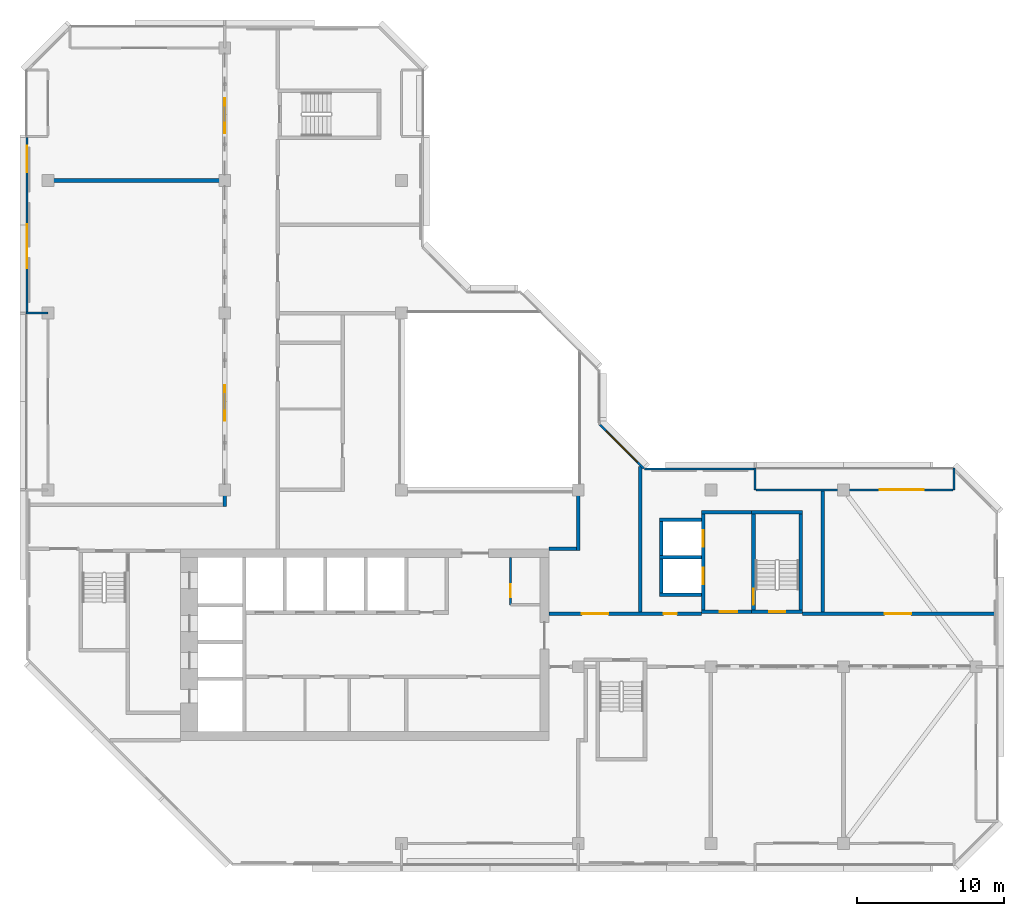
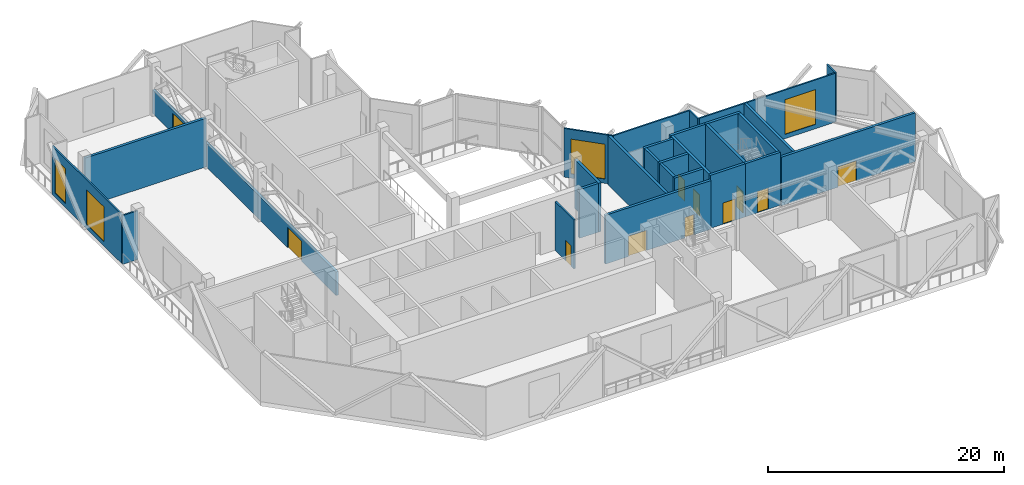
# One storey, part 7 of 13: 28 walls, 11 doors, 4 windows, 15 openings.
"""IFC4 building model written with IfcOpenShell, lengths in metres."""

from ifc_helpers import new_model, si_unit, direction, frame, frame_2d, origin, place, context, subcontext, project, spatial, rectangle, extrude, material, layer, layer_set, type_object, element, fill, save


model = new_model("IFC4")

# Units and contexts
model_context = context("Model", 3, precision=1e-05, world=origin(), true_north=direction((0.0, 1.0)))
body_context = subcontext(model_context, "Body", "Model", "MODEL_VIEW")
ifc_project = project(units=[si_unit("LENGTHUNIT", "METRE"), si_unit("AREAUNIT", "SQUARE_METRE"), si_unit("VOLUMEUNIT", "CUBIC_METRE"), si_unit("PLANEANGLEUNIT", "RADIAN"), si_unit("MASSUNIT", "GRAM", prefix="KILO")], contexts=[model_context])

# Site, building, storey
site_placement = place(None, origin())
site = spatial("IfcSite", under=ifc_project, at=site_placement, CompositionType="ELEMENT")
building_placement = place(site_placement, origin())
building = spatial("IfcBuilding", under=site, at=building_placement, Name="Chenar Terraces", CompositionType="ELEMENT")
storey_placement = place(building_placement, frame((0.0, 0.0, 322.14990234375)))
storey = spatial("IfcBuildingStorey", under=building, at=storey_placement, Name="L76", CompositionType="ELEMENT", Elevation=322.14990234375)

# Wall, opening, door
ifc_material_1 = material(Name="Gypsum board on steel studs", Category="steel")
ifc_layer_1 = layer(ifc_material_1, 0.14990234375)
ifc_layer_set_1 = layer_set([ifc_layer_1], Name="Gypsum board on steel studs")
wall_type_1 = type_object("IfcWallType", Name="Core partition 150 gypsum board", PredefinedType="PARTITIONING", material=ifc_layer_set_1)
wall_1_placement = place(storey_placement, frame((31.39990234375, 16.199951171875, 0.0), z_axis=(0.0, 0.0, 1.0), x_axis=(0.0, 1.0, 0.0)))
wall_1 = element("IfcWall", 1, at=wall_1_placement, inside=storey, type_object=wall_type_1, Name="Core partition CP1 vestibule room west wall", PredefinedType="PARTITIONING", context=body_context, shape_type="SweptSolid", body=[
    extrude(rectangle(XDim=3.199951171875, YDim=0.14990234375, at=frame_2d((1.60009765625, 0.0))), origin(), (0.0, 0.0, 1.0), 5.050048828125),
])
opening_1_placement = place(wall_1_placement, frame((0.5, 0.0, 0.0)))
opening_1 = element("IfcOpeningElement", 2, at=opening_1_placement, cuts=wall_1, Name="Opening DL76-C17", PredefinedType="OPENING", context=body_context, shape_type="SweptSolid", body=[
    extrude(rectangle(XDim=0.89990234375, YDim=2.10009765625, at=frame_2d((0.449951171875, 1.050048828125))), frame((0.0, 0.0849609375, 0.0), z_axis=(0.0, -1.0, 0.0), x_axis=(1.0, 0.0, 0.0)), (0.0, 0.0, 1.0), 0.169921875),
])
ifc_material_2 = material(Name="Steel-framed fire-resisting door leaf", Category="steel")
door_type_1 = type_object("IfcDoorType", Name="Riser fire door FD60 900 x 2100", OperationType="SINGLE_SWING_LEFT", PredefinedType="DOOR", material=ifc_material_2)
door_1_placement = place(opening_1_placement, frame((0.89990234375, 0.0, 0.0), z_axis=(0.0, 0.0, 1.0), x_axis=(-1.0, 0.0, 0.0)))
door_1 = element("IfcDoor", 3, at=door_1_placement, inside=storey, type_object=door_type_1, Name="Core room door DL76-C17", OperationType="SINGLE_SWING_RIGHT", OverallHeight=2.10009765625, OverallWidth=0.89990234375, PredefinedType="DOOR", context=body_context, shape_type="SweptSolid", body=[
    extrude(rectangle(XDim=0.89990234375, YDim=2.10009765625, at=frame_2d((0.449951171875, 1.050048828125))), frame((0.0, 0.02490234375, 0.0), z_axis=(0.0, -1.0, 0.0), x_axis=(1.0, 0.0, 0.0)), (0.0, 0.0, 1.0), 0.050048828125),
])
fill(opening_1, door_1)

ifc_material_3 = material(Name="Concrete C50/60", Category="concrete")
ifc_layer_2 = layer(ifc_material_3, 0.25)
ifc_layer_set_2 = layer_set([ifc_layer_2], Name="Concrete C50/60")
wall_type_2 = type_object("IfcWallType", Name="Core wall 250 Concrete C50/60", PredefinedType="SHEAR", material=ifc_layer_set_2)
wall_2_placement = place(storey_placement, frame((47.77490234375, 15.72509765625, 0.0), z_axis=(0.0, 0.0, 1.0), x_axis=(1.0, 0.0, 0.0)))
wall_2 = element("IfcWall", 4, at=wall_2_placement, inside=storey, type_object=wall_type_2, Name="Core wall ST3_S L76", PredefinedType="SHEAR", context=body_context, shape_type="SweptSolid", body=[
    extrude(rectangle(XDim=3.4501953125, YDim=0.25, at=frame_2d((1.72509765625, 0.0))), origin(), (0.0, 0.0, 1.0), 5.5),
])
opening_2_placement = place(wall_2_placement, frame((1.175048828125, 0.0, 0.0)))
opening_2 = element("IfcOpeningElement", 5, at=opening_2_placement, cuts=wall_2, Name="Opening DL76-C8", PredefinedType="OPENING", context=body_context, shape_type="SweptSolid", body=[
    extrude(rectangle(XDim=1.10009765625, YDim=2.199951171875, at=frame_2d((0.550048828125, 1.10009765625))), frame((0.0, 0.135009765625, 0.0), z_axis=(0.0, -1.0, 0.0), x_axis=(1.0, 0.0, 0.0)), (0.0, 0.0, 1.0), 0.27001953125),
])
ifc_material_4 = material(Name="Steel-framed fire-resisting door leaf", Category="steel")
door_type_2 = type_object("IfcDoorType", Name="Stair fire door FD60 1100 x 2200", OperationType="SINGLE_SWING_LEFT", PredefinedType="DOOR", material=ifc_material_4)
door_2_placement = place(opening_2_placement, frame((1.10009765625, 0.0, 0.0), z_axis=(0.0, 0.0, 1.0), x_axis=(-1.0, 0.0, 0.0)))
door_2 = element("IfcDoor", 6, at=door_2_placement, inside=storey, type_object=door_type_2, Name="Stair door DL76-C8", OperationType="SINGLE_SWING_LEFT", OverallHeight=2.199951171875, OverallWidth=1.10009765625, PredefinedType="DOOR", context=body_context, shape_type="SweptSolid", body=[
    extrude(rectangle(XDim=1.10009765625, YDim=2.199951171875, at=frame_2d((0.550048828125, 1.10009765625))), frame((0.0, 0.02490234375, 0.0), z_axis=(0.0, -1.0, 0.0), x_axis=(1.0, 0.0, 0.0)), (0.0, 0.0, 1.0), 0.050048828125),
])
fill(opening_2, door_2)

# Wall
wall_3_placement = place(storey_placement, frame((47.77490234375, 22.47509765625, 0.0), z_axis=(0.0, 0.0, 1.0), x_axis=(1.0, 0.0, 0.0)))
element("IfcWall", 7, at=wall_3_placement, inside=storey, type_object=wall_type_2, Name="Core wall ST3_N L76", PredefinedType="SHEAR", context=body_context, shape_type="SweptSolid", body=[
    extrude(rectangle(XDim=3.4501953125, YDim=0.25, at=frame_2d((1.72509765625, 0.0))), origin(), (0.0, 0.0, 1.0), 5.5),
])

# Wall, opening, door
wall_4_placement = place(storey_placement, frame((47.89990234375, 15.85009765625, 0.0), z_axis=(0.0, 0.0, 1.0), x_axis=(0.0, 1.0, 0.0)))
wall_4 = element("IfcWall", 8, at=wall_4_placement, inside=storey, type_object=wall_type_2, Name="Core wall ST3_W L76", PredefinedType="SHEAR", context=body_context, shape_type="SweptSolid", body=[
    extrude(rectangle(XDim=6.5, YDim=0.25, at=frame_2d((3.25, 0.0))), origin(), (0.0, 0.0, 1.0), 5.5),
])
opening_3_placement = place(wall_4_placement, frame((0.35009765625, 0.0, 0.0)))
opening_3 = element("IfcOpeningElement", 9, at=opening_3_placement, cuts=wall_4, Name="Opening DL76-C11", PredefinedType="OPENING", context=body_context, shape_type="SweptSolid", body=[
    extrude(rectangle(XDim=1.10009765625, YDim=2.199951171875, at=frame_2d((0.550048828125, 1.10009765625))), frame((0.0, 0.135009765625, 0.0), z_axis=(0.0, -1.0, 0.0), x_axis=(1.0, 0.0, 0.0)), (0.0, 0.0, 1.0), 0.27001953125),
])
door_3_placement = place(opening_3_placement, frame((1.10009765625, 0.0, 0.0), z_axis=(0.0, 0.0, 1.0), x_axis=(-1.0, 0.0, 0.0)))
door_3 = element("IfcDoor", 10, at=door_3_placement, inside=storey, type_object=door_type_2, Name="Stair door DL76-C11", OperationType="SINGLE_SWING_RIGHT", OverallHeight=2.199951171875, OverallWidth=1.10009765625, PredefinedType="DOOR", context=body_context, shape_type="SweptSolid", body=[
    extrude(rectangle(XDim=1.10009765625, YDim=2.199951171875, at=frame_2d((0.550048828125, 1.10009765625))), frame((0.0, 0.02490234375, 0.0), z_axis=(0.0, -1.0, 0.0), x_axis=(1.0, 0.0, 0.0)), (0.0, 0.0, 1.0), 0.050048828125),
])
fill(opening_3, door_3)

# Wall
wall_5_placement = place(storey_placement, frame((51.10009765625, 15.85009765625, 0.0), z_axis=(0.0, 0.0, 1.0), x_axis=(0.0, 1.0, 0.0)))
element("IfcWall", 11, at=wall_5_placement, inside=storey, type_object=wall_type_2, Name="Core wall ST3_E L76", PredefinedType="SHEAR", context=body_context, shape_type="SweptSolid", body=[
    extrude(rectangle(XDim=6.5, YDim=0.25, at=frame_2d((3.25, 0.0))), origin(), (0.0, 0.0, 1.0), 5.5),
])

# Wall, opening, door
wall_6_placement = place(storey_placement, frame((44.35009765625, 15.72509765625, 0.0), z_axis=(0.0, 0.0, 1.0), x_axis=(1.0, 0.0, 0.0)))
wall_6 = element("IfcWall", 12, at=wall_6_placement, inside=storey, type_object=wall_type_2, Name="Core wall F3_LS L76", PredefinedType="SHEAR", context=body_context, shape_type="SweptSolid", body=[
    extrude(rectangle(XDim=3.4248046875, YDim=0.25, at=frame_2d((1.71240234375, 0.0))), origin(), (0.0, 0.0, 1.0), 5.5),
])
opening_4_placement = place(wall_6_placement, frame((1.25, 0.0, 0.0)))
opening_4 = element("IfcOpeningElement", 13, at=opening_4_placement, cuts=wall_6, Name="Opening DL76-C10", PredefinedType="OPENING", context=body_context, shape_type="SweptSolid", body=[
    extrude(rectangle(XDim=1.199951171875, YDim=2.199951171875, at=frame_2d((0.60009765625, 1.10009765625))), frame((0.0, 0.135009765625, 0.0), z_axis=(0.0, -1.0, 0.0), x_axis=(1.0, 0.0, 0.0)), (0.0, 0.0, 1.0), 0.27001953125),
])
ifc_material_5 = material(Name="Steel-framed fire-resisting door leaf", Category="steel")
door_type_3 = type_object("IfcDoorType", Name="Lobby fire door FD60 1200 x 2200", OperationType="SINGLE_SWING_LEFT", PredefinedType="DOOR", material=ifc_material_5)
door_4_placement = place(opening_4_placement, origin())
door_4 = element("IfcDoor", 14, at=door_4_placement, inside=storey, type_object=door_type_3, Name="Core door DL76-C10", OperationType="SINGLE_SWING_RIGHT", OverallHeight=2.199951171875, OverallWidth=1.199951171875, PredefinedType="DOOR", context=body_context, shape_type="SweptSolid", body=[
    extrude(rectangle(XDim=1.199951171875, YDim=2.199951171875, at=frame_2d((0.60009765625, 1.10009765625))), frame((0.0, 0.02490234375, 0.0), z_axis=(0.0, -1.0, 0.0), x_axis=(1.0, 0.0, 0.0)), (0.0, 0.0, 1.0), 0.050048828125),
])
fill(opening_4, door_4)

# Wall
wall_7_placement = place(storey_placement, frame((44.35009765625, 22.47509765625, 0.0), z_axis=(0.0, 0.0, 1.0), x_axis=(1.0, 0.0, 0.0)))
element("IfcWall", 15, at=wall_7_placement, inside=storey, type_object=wall_type_2, Name="Core wall F3_LN L76", PredefinedType="SHEAR", context=body_context, shape_type="SweptSolid", body=[
    extrude(rectangle(XDim=3.4248046875, YDim=0.25, at=frame_2d((1.71240234375, 0.0))), origin(), (0.0, 0.0, 1.0), 5.5),
])

# Wall, openings, doors
wall_8_placement = place(storey_placement, frame((44.47509765625, 15.85009765625, 0.0), z_axis=(0.0, 0.0, 1.0), x_axis=(0.0, 1.0, 0.0)))
wall_8 = element("IfcWall", 16, at=wall_8_placement, inside=storey, type_object=wall_type_2, Name="Core wall F3_LW L76", PredefinedType="SHEAR", context=body_context, shape_type="SweptSolid", body=[
    extrude(rectangle(XDim=6.5, YDim=0.25, at=frame_2d((3.25, 0.0))), origin(), (0.0, 0.0, 1.0), 5.5),
])
opening_5_placement = place(wall_8_placement, frame((1.75, 0.0, 0.0)))
opening_5 = element("IfcOpeningElement", 17, at=opening_5_placement, cuts=wall_8, Name="Opening DL76-LD8", PredefinedType="OPENING", context=body_context, shape_type="SweptSolid", body=[
    extrude(rectangle(XDim=1.10009765625, YDim=2.199951171875, at=frame_2d((0.550048828125, 1.10009765625))), frame((0.0, 0.135009765625, 0.0), z_axis=(0.0, -1.0, 0.0), x_axis=(1.0, 0.0, 0.0)), (0.0, 0.0, 1.0), 0.27001953125),
])
opening_6_placement = place(wall_8_placement, frame((4.300048828125, 0.0, 0.0)))
opening_6 = element("IfcOpeningElement", 18, at=opening_6_placement, cuts=wall_8, Name="Opening DL76-LD9", PredefinedType="OPENING", context=body_context, shape_type="SweptSolid", body=[
    extrude(rectangle(XDim=1.10009765625, YDim=2.199951171875, at=frame_2d((0.550048828125, 1.10009765625))), frame((0.0, 0.135009765625, 0.0), z_axis=(0.0, -1.0, 0.0), x_axis=(1.0, 0.0, 0.0)), (0.0, 0.0, 1.0), 0.27001953125),
])
ifc_material_6 = material(Name="Stainless steel", Category="steel")
door_type_4 = type_object("IfcDoorType", Name="Lift landing door 1100 x 2200 sliding", OperationType="DOUBLE_DOOR_SLIDING", PredefinedType="DOOR", material=ifc_material_6)
door_5_placement = place(opening_5_placement, origin())
door_5 = element("IfcDoor", 19, at=door_5_placement, inside=storey, type_object=door_type_4, Name="Landing door F3", OperationType="DOUBLE_DOOR_SLIDING", OverallHeight=2.199951171875, OverallWidth=1.10009765625, PredefinedType="DOOR", context=body_context, shape_type="SweptSolid", body=[
    extrude(rectangle(XDim=1.10009765625, YDim=2.199951171875, at=frame_2d((0.550048828125, 1.10009765625))), frame((0.0, 0.02490234375, 0.0), z_axis=(0.0, -1.0, 0.0), x_axis=(1.0, 0.0, 0.0)), (0.0, 0.0, 1.0), 0.050048828125),
])
fill(opening_5, door_5)
door_6_placement = place(opening_6_placement, origin())
door_6 = element("IfcDoor", 20, at=door_6_placement, inside=storey, type_object=door_type_4, Name="Landing door F4", OperationType="DOUBLE_DOOR_SLIDING", OverallHeight=2.199951171875, OverallWidth=1.10009765625, PredefinedType="DOOR", context=body_context, shape_type="SweptSolid", body=[
    extrude(rectangle(XDim=1.10009765625, YDim=2.199951171875, at=frame_2d((0.550048828125, 1.10009765625))), frame((0.0, 0.02490234375, 0.0), z_axis=(0.0, -1.0, 0.0), x_axis=(1.0, 0.0, 0.0)), (0.0, 0.0, 1.0), 0.050048828125),
])
fill(opening_6, door_6)

# Walls
for number, where, z_axis, x_axis, name in (
    (21, (41.5, 16.875, 0.0), (0.0, 0.0, 1.0), (1.0, 0.0, 0.0), "Core wall F3_SS L76"),
    (22, (41.5, 19.425048828125, 0.0), (0.0, 0.0, 1.0), (1.0, 0.0, 0.0), "Core wall F3_SM L76"),
    (23, (41.5, 21.97509765625, 0.0), (0.0, 0.0, 1.0), (1.0, 0.0, 0.0), "Core wall F4_SN L76"),
):
    element("IfcWall", number, at=place(storey_placement, frame(where, z_axis=z_axis, x_axis=x_axis)), inside=storey, type_object=wall_type_2, Name=name, PredefinedType="SHEAR", context=body_context, shape_type="SweptSolid", body=[
        extrude(rectangle(XDim=2.85009765625, YDim=0.25, at=frame_2d((1.425048828125, 0.0))), origin(), (0.0, 0.0, 1.0), 5.5),
    ])
for number, where, z_axis, x_axis, name in (
    (24, (41.625, 17.0, 0.0), (0.0, 0.0, 1.0), (0.0, 1.0, 0.0), "Core wall F3_SW L76"),
    (25, (41.625, 19.550048828125, 0.0), (0.0, 0.0, 1.0), (0.0, 1.0, 0.0), "Core wall F4_SW L76"),
):
    element("IfcWall", number, at=place(storey_placement, frame(where, z_axis=z_axis, x_axis=x_axis)), inside=storey, type_object=wall_type_2, Name=name, PredefinedType="SHEAR", context=body_context, shape_type="SweptSolid", body=[
        extrude(rectangle(XDim=2.300048828125, YDim=0.25, at=frame_2d((1.14990234375, 0.0))), origin(), (0.0, 0.0, 1.0), 5.5),
    ])
ifc_material_7 = material(Name="Aluminium framed glazing", Category="aluminium")
ifc_layer_3 = layer(ifc_material_7, 0.14990234375)
ifc_layer_set_3 = layer_set([ifc_layer_3], Name="Aluminium framed glazing")
wall_type_3 = type_object("IfcWallType", Name="Glazed flush facade wall 150", PredefinedType="SOLIDWALL", material=ifc_layer_set_3)
wall_9_placement = place(storey_placement, frame((47.925048828125, 25.425048828125, 0.0), z_axis=(0.0, 0.0, 1.0), x_axis=(-1.0, 0.0, 0.0)))
element("IfcWall", 26, at=wall_9_placement, inside=storey, type_object=wall_type_3, Name="Glazed flush facade wall", PredefinedType="SOLIDWALL", context=body_context, shape_type="SweptSolid", body=[
    extrude(rectangle(XDim=7.425048828125, YDim=0.14990234375, at=frame_2d((3.71240234375, 0.0))), origin(), (0.0, 0.0, 1.0), 5.050048828125),
])

# Wall, openings, windows
wall_10_placement = place(storey_placement, frame((-1.425048828125, 47.925048828125, 0.0), z_axis=(0.0, 0.0, 1.0), x_axis=(0.0, -1.0, 0.0)))
wall_10 = element("IfcWall", 27, at=wall_10_placement, inside=storey, type_object=wall_type_3, Name="Glazed flush facade wall", PredefinedType="SOLIDWALL", context=body_context, shape_type="SweptSolid", body=[
    extrude(rectangle(XDim=11.85009765625, YDim=0.14990234375, at=frame_2d((5.925048828125, 0.0))), origin(), (0.0, 0.0, 1.0), 5.050048828125),
])
opening_7_placement = place(wall_10_placement, frame((0.5625, 0.0, 0.449951171875)))
opening_7 = element("IfcOpeningElement", 28, at=opening_7_placement, cuts=wall_10, Name="Opening W180x360", PredefinedType="OPENING", context=body_context, shape_type="SweptSolid", body=[
    extrude(rectangle(XDim=1.800048828125, YDim=3.60009765625, at=frame_2d((0.89990234375, 1.800048828125))), frame((0.0, 0.0849609375, 0.0), z_axis=(0.0, -1.0, 0.0), x_axis=(1.0, 0.0, 0.0)), (0.0, 0.0, 1.0), 0.169921875),
])
opening_8_placement = place(wall_10_placement, frame((5.887451171875, 0.0, 0.449951171875)))
opening_8 = element("IfcOpeningElement", 29, at=opening_8_placement, cuts=wall_10, Name="Opening W300x360", PredefinedType="OPENING", context=body_context, shape_type="SweptSolid", body=[
    extrude(rectangle(XDim=3.0, YDim=3.60009765625, at=frame_2d((1.5, 1.800048828125))), frame((0.0, 0.0849609375, 0.0), z_axis=(0.0, -1.0, 0.0), x_axis=(1.0, 0.0, 0.0)), (0.0, 0.0, 1.0), 0.169921875),
])
ifc_material_8 = material(Name="Low emissivity double glazing, aluminium frame", Category="aluminium")
window_type_1 = type_object("IfcWindowType", Name="Fixed light 1800 x 3600", PartitioningType="SINGLE_PANEL", PredefinedType="WINDOW", material=ifc_material_8)
window_1_placement = place(opening_7_placement, origin())
window_1 = element("IfcWindow", 30, at=window_1_placement, inside=storey, type_object=window_type_1, Name="Window", OverallHeight=3.60009765625, OverallWidth=1.800048828125, PartitioningType="SINGLE_PANEL", PredefinedType="WINDOW", context=body_context, shape_type="SweptSolid", body=[
    extrude(rectangle(XDim=1.800048828125, YDim=3.60009765625, at=frame_2d((0.89990234375, 1.800048828125))), frame((0.0, 0.030029296875, 0.0), z_axis=(0.0, -1.0, 0.0), x_axis=(1.0, 0.0, 0.0)), (0.0, 0.0, 1.0), 0.06005859375),
])
fill(opening_7, window_1)
ifc_material_9 = material(Name="Low emissivity double glazing, aluminium frame", Category="aluminium")
window_type_2 = type_object("IfcWindowType", Name="Fixed light 3000 x 3600", PartitioningType="SINGLE_PANEL", PredefinedType="WINDOW", material=ifc_material_9)
window_2_placement = place(opening_8_placement, origin())
window_2 = element("IfcWindow", 31, at=window_2_placement, inside=storey, type_object=window_type_2, Name="Window", OverallHeight=3.60009765625, OverallWidth=3.0, PartitioningType="SINGLE_PANEL", PredefinedType="WINDOW", context=body_context, shape_type="SweptSolid", body=[
    extrude(rectangle(XDim=3.0, YDim=3.60009765625, at=frame_2d((1.5, 1.800048828125))), frame((0.0, 0.030029296875, 0.0), z_axis=(0.0, -1.0, 0.0), x_axis=(1.0, 0.0, 0.0)), (0.0, 0.0, 1.0), 0.06005859375),
])
fill(opening_8, window_2)

# Wall, opening, window
ifc_material_10 = material(Name="Aluminium framed glazing", Category="aluminium")
ifc_layer_4 = layer(ifc_material_10, 0.14990234375)
ifc_layer_set_4 = layer_set([ifc_layer_4], Name="Aluminium framed glazing")
wall_type_4 = type_object("IfcWallType", Name="Glazed loggia back wall 150", PredefinedType="SOLIDWALL", material=ifc_layer_set_4)
wall_11_placement = place(storey_placement, frame((61.425048828125, 24.0, 0.0), z_axis=(0.0, 0.0, 1.0), x_axis=(-1.0, 0.0, 0.0)))
wall_11 = element("IfcWall", 32, at=wall_11_placement, inside=storey, type_object=wall_type_4, Name="Glazed loggia back wall", PredefinedType="SOLIDWALL", context=body_context, shape_type="SweptSolid", body=[
    extrude(rectangle(XDim=13.35009765625, YDim=0.14990234375, at=frame_2d((6.675048828125, 0.0))), origin(), (0.0, 0.0, 1.0), 5.050048828125),
])
opening_9_placement = place(wall_11_placement, frame((1.96240234375, 0.0, 0.449951171875)))
opening_9 = element("IfcOpeningElement", 33, at=opening_9_placement, cuts=wall_11, Name="Opening W300x360", PredefinedType="OPENING", context=body_context, shape_type="SweptSolid", body=[
    extrude(rectangle(XDim=3.0, YDim=3.60009765625, at=frame_2d((1.5, 1.800048828125))), frame((0.0, 0.0849609375, 0.0), z_axis=(0.0, -1.0, 0.0), x_axis=(1.0, 0.0, 0.0)), (0.0, 0.0, 1.0), 0.169921875),
])
window_3_placement = place(opening_9_placement, origin())
window_3 = element("IfcWindow", 34, at=window_3_placement, inside=storey, type_object=window_type_2, Name="Window", OverallHeight=3.60009765625, OverallWidth=3.0, PartitioningType="SINGLE_PANEL", PredefinedType="WINDOW", context=body_context, shape_type="SweptSolid", body=[
    extrude(rectangle(XDim=3.0, YDim=3.60009765625, at=frame_2d((1.5, 1.800048828125))), frame((0.0, 0.030029296875, 0.0), z_axis=(0.0, -1.0, 0.0), x_axis=(1.0, 0.0, 0.0)), (0.0, 0.0, 1.0), 0.06005859375),
])
fill(opening_9, window_3)

# Walls
ifc_material_11 = material(Name="Terracotta cladding on insulated backing", Category="masonry")
ifc_layer_5 = layer(ifc_material_11, 0.14990234375)
ifc_layer_set_5 = layer_set([ifc_layer_5], Name="Terracotta cladding on insulated backing")
wall_type_5 = type_object("IfcWallType", Name="Loggia return wall 150", PredefinedType="SOLIDWALL", material=ifc_layer_set_5)
for number, where, z_axis, x_axis, name in (
    (35, (61.5, 25.5, 0.0), (0.0, 0.0, 1.0), (0.0, -1.0, 0.0), "Loggia return wall"),
    (36, (48.0, 25.5, 0.0), (0.0, 0.0, 1.0), (0.0, -1.0, 0.0), "Loggia return wall"),
    (37, (-1.5, 36.0, 0.0), (0.0, 0.0, 1.0), (1.0, 0.0, 0.0), "Loggia return wall"),
):
    element("IfcWall", number, at=place(storey_placement, frame(where, z_axis=z_axis, x_axis=x_axis)), inside=storey, type_object=wall_type_5, Name=name, PredefinedType="SOLIDWALL", context=body_context, shape_type="SweptSolid", body=[
        extrude(rectangle(XDim=1.5, YDim=0.14990234375, at=frame_2d((0.75, 0.0))), origin(), (0.0, 0.0, 1.0), 5.050048828125),
    ])
ifc_material_12 = material(Name="Fire-board and steel stud wall with mineral wool", Category="steel")
ifc_layer_6 = layer(ifc_material_12, 0.25)
ifc_layer_set_6 = layer_set([ifc_layer_6], Name="Fire-board and steel stud wall with mineral wool")
wall_type_6 = type_object("IfcWallType", Name="Plant room wall 250", PredefinedType="PARTITIONING", material=ifc_layer_set_6)
wall_12_placement = place(storey_placement, frame((40.199951171875, 15.72509765625, 0.0), z_axis=(0.0, 0.0, 1.0), x_axis=(0.0, 1.0, 0.0)))
element("IfcWall", 38, at=wall_12_placement, inside=storey, type_object=wall_type_6, Name="Partition L76-021", PredefinedType="PARTITIONING", context=body_context, shape_type="SweptSolid", body=[
    extrude(rectangle(XDim=9.86279296875, YDim=0.25, at=frame_2d((4.931396484375, 0.0))), origin(), (0.0, 0.0, 1.0), 5.050048828125),
])
ifc_material_13 = material(Name="Fire-board and steel stud wall with mineral wool", Category="steel")
ifc_layer_7 = layer(ifc_material_13, 0.25)
ifc_layer_set_7 = layer_set([ifc_layer_7], Name="Fire-board and steel stud wall with mineral wool")
wall_type_7 = type_object("IfcWallType", Name="Refuge compartment wall 250", PredefinedType="PARTITIONING", material=ifc_layer_set_7)
wall_13_placement = place(storey_placement, frame((0.0, 45.0, 0.0), z_axis=(0.0, 0.0, 1.0), x_axis=(1.0, 0.0, 0.0)))
element("IfcWall", 39, at=wall_13_placement, inside=storey, type_object=wall_type_7, Name="Partition L76-003", PredefinedType="PARTITIONING", context=body_context, shape_type="SweptSolid", body=[
    extrude(rectangle(XDim=11.875, YDim=0.25, at=frame_2d((5.9375, 0.0))), origin(), (0.0, 0.0, 1.0), 5.050048828125),
])

# Wall, openings, doors
wall_14_placement = place(storey_placement, frame((12.0, 22.875, 0.0), z_axis=(0.0, 0.0, 1.0), x_axis=(0.0, 1.0, 0.0)))
wall_14 = element("IfcWall", 40, at=wall_14_placement, inside=storey, type_object=wall_type_7, Name="Partition L76-005", PredefinedType="PARTITIONING", context=body_context, shape_type="SweptSolid", body=[
    extrude(rectangle(XDim=31.125, YDim=0.25, at=frame_2d((15.5625, 0.0))), origin(), (0.0, 0.0, 1.0), 2.4501953125),
])
opening_10_placement = place(wall_14_placement, frame((5.824951171875, 0.0, 0.0)))
opening_10 = element("IfcOpeningElement", 41, at=opening_10_placement, cuts=wall_14, Name="Opening DL76-9", PredefinedType="OPENING", context=body_context, shape_type="SweptSolid", body=[
    extrude(rectangle(XDim=2.39990234375, YDim=2.10009765625, at=frame_2d((1.199951171875, 1.050048828125))), frame((0.0, 0.135009765625, 0.0), z_axis=(0.0, -1.0, 0.0), x_axis=(1.0, 0.0, 0.0)), (0.0, 0.0, 1.0), 0.27001953125),
])
opening_11_placement = place(wall_14_placement, frame((25.324951171875, 0.0, 0.0)))
opening_11 = element("IfcOpeningElement", 42, at=opening_11_placement, cuts=wall_14, Name="Opening DL76-10", PredefinedType="OPENING", context=body_context, shape_type="SweptSolid", body=[
    extrude(rectangle(XDim=2.39990234375, YDim=2.10009765625, at=frame_2d((1.199951171875, 1.050048828125))), frame((0.0, 0.135009765625, 0.0), z_axis=(0.0, -1.0, 0.0), x_axis=(1.0, 0.0, 0.0)), (0.0, 0.0, 1.0), 0.27001953125),
])
ifc_material_14 = material(Name="Steel-framed fire-resisting door leaf", Category="steel")
door_type_5 = type_object("IfcDoorType", Name="Fire double door FD120 2400 x 2100", OperationType="DOUBLE_DOOR_SINGLE_SWING", PredefinedType="DOOR", material=ifc_material_14)
door_7_placement = place(opening_10_placement, origin())
door_7 = element("IfcDoor", 43, at=door_7_placement, inside=storey, type_object=door_type_5, Name="Door DL76-9", OperationType="DOUBLE_DOOR_SINGLE_SWING", OverallHeight=2.10009765625, OverallWidth=2.39990234375, PredefinedType="DOOR", context=body_context, shape_type="SweptSolid", body=[
    extrude(rectangle(XDim=2.39990234375, YDim=2.10009765625, at=frame_2d((1.199951171875, 1.050048828125))), frame((0.0, 0.02490234375, 0.0), z_axis=(0.0, -1.0, 0.0), x_axis=(1.0, 0.0, 0.0)), (0.0, 0.0, 1.0), 0.050048828125),
])
fill(opening_10, door_7)
door_8_placement = place(opening_11_placement, origin())
door_8 = element("IfcDoor", 44, at=door_8_placement, inside=storey, type_object=door_type_5, Name="Door DL76-10", OperationType="DOUBLE_DOOR_SINGLE_SWING", OverallHeight=2.10009765625, OverallWidth=2.39990234375, PredefinedType="DOOR", context=body_context, shape_type="SweptSolid", body=[
    extrude(rectangle(XDim=2.39990234375, YDim=2.10009765625, at=frame_2d((1.199951171875, 1.050048828125))), frame((0.0, 0.02490234375, 0.0), z_axis=(0.0, -1.0, 0.0), x_axis=(1.0, 0.0, 0.0)), (0.0, 0.0, 1.0), 0.050048828125),
])
fill(opening_11, door_8)

wall_15_placement = place(storey_placement, frame((34.0, 15.60009765625, 0.0), z_axis=(0.0, 0.0, 1.0), x_axis=(1.0, 0.0, 0.0)))
wall_15 = element("IfcWall", 45, at=wall_15_placement, inside=storey, type_object=wall_type_7, Name="Partition L76-015", PredefinedType="PARTITIONING", context=body_context, shape_type="SweptSolid", body=[
    extrude(rectangle(XDim=10.35009765625, YDim=0.25, at=frame_2d((5.175048828125, 0.0))), origin(), (0.0, 0.0, 1.0), 5.050048828125),
])
opening_12_placement = place(wall_15_placement, frame((2.25, 0.0, 0.0)))
opening_12 = element("IfcOpeningElement", 46, at=opening_12_placement, cuts=wall_15, Name="Opening DL76-1", PredefinedType="OPENING", context=body_context, shape_type="SweptSolid", body=[
    extrude(rectangle(XDim=1.800048828125, YDim=2.10009765625, at=frame_2d((0.89990234375, 1.050048828125))), frame((0.0, 0.135009765625, 0.0), z_axis=(0.0, -1.0, 0.0), x_axis=(1.0, 0.0, 0.0)), (0.0, 0.0, 1.0), 0.27001953125),
])
opening_13_placement = place(wall_15_placement, frame((7.800048828125, 0.0, 0.0)))
opening_13 = element("IfcOpeningElement", 47, at=opening_13_placement, cuts=wall_15, Name="Opening DL76-2", PredefinedType="OPENING", context=body_context, shape_type="SweptSolid", body=[
    extrude(rectangle(XDim=0.89990234375, YDim=2.10009765625, at=frame_2d((0.449951171875, 1.050048828125))), frame((0.0, 0.135009765625, 0.0), z_axis=(0.0, -1.0, 0.0), x_axis=(1.0, 0.0, 0.0)), (0.0, 0.0, 1.0), 0.27001953125),
])
ifc_material_15 = material(Name="Steel-framed fire-resisting door leaf", Category="steel")
door_type_6 = type_object("IfcDoorType", Name="Fire door FD120 900 x 2100", OperationType="SINGLE_SWING_LEFT", PredefinedType="DOOR", material=ifc_material_15)
door_9_placement = place(opening_13_placement, origin())
door_9 = element("IfcDoor", 48, at=door_9_placement, inside=storey, type_object=door_type_6, Name="Door DL76-2", OperationType="SINGLE_SWING_RIGHT", OverallHeight=2.10009765625, OverallWidth=0.89990234375, PredefinedType="DOOR", context=body_context, shape_type="SweptSolid", body=[
    extrude(rectangle(XDim=0.89990234375, YDim=2.10009765625, at=frame_2d((0.449951171875, 1.050048828125))), frame((0.0, 0.02490234375, 0.0), z_axis=(0.0, -1.0, 0.0), x_axis=(1.0, 0.0, 0.0)), (0.0, 0.0, 1.0), 0.050048828125),
])
fill(opening_13, door_9)
ifc_material_16 = material(Name="Steel-framed fire-resisting door leaf", Category="steel")
door_type_7 = type_object("IfcDoorType", Name="Fire double door FD120 1800 x 2100", OperationType="DOUBLE_DOOR_SINGLE_SWING", PredefinedType="DOOR", material=ifc_material_16)
door_10_placement = place(opening_12_placement, origin())
door_10 = element("IfcDoor", 49, at=door_10_placement, inside=storey, type_object=door_type_7, Name="Door DL76-1", OperationType="DOUBLE_DOOR_SINGLE_SWING", OverallHeight=2.10009765625, OverallWidth=1.800048828125, PredefinedType="DOOR", context=body_context, shape_type="SweptSolid", body=[
    extrude(rectangle(XDim=1.800048828125, YDim=2.10009765625, at=frame_2d((0.89990234375, 1.050048828125))), frame((0.0, 0.02490234375, 0.0), z_axis=(0.0, -1.0, 0.0), x_axis=(1.0, 0.0, 0.0)), (0.0, 0.0, 1.0), 0.050048828125),
])
fill(opening_12, door_10)

# Walls
wall_16_placement = place(storey_placement, frame((34.0, 20.0, 0.0), z_axis=(0.0, 0.0, 1.0), x_axis=(1.0, 0.0, 0.0)))
element("IfcWall", 50, at=wall_16_placement, inside=storey, type_object=wall_type_7, Name="Partition L76-016", PredefinedType="PARTITIONING", context=body_context, shape_type="SweptSolid", body=[
    extrude(rectangle(XDim=1.875, YDim=0.25, at=frame_2d((0.9375, 0.0))), origin(), (0.0, 0.0, 1.0), 5.050048828125),
])
wall_17_placement = place(storey_placement, frame((36.0, 19.875, 0.0), z_axis=(0.0, 0.0, 1.0), x_axis=(0.0, 1.0, 0.0)))
element("IfcWall", 51, at=wall_17_placement, inside=storey, type_object=wall_type_7, Name="Partition L76-018", PredefinedType="PARTITIONING", context=body_context, shape_type="SweptSolid", body=[
    extrude(rectangle(XDim=4.125, YDim=0.25, at=frame_2d((2.0625, 0.0))), origin(), (0.0, 0.0, 1.0), 5.050048828125),
])

# Wall, opening, door
wall_18_placement = place(storey_placement, frame((51.22509765625, 15.60009765625, 0.0), z_axis=(0.0, 0.0, 1.0), x_axis=(1.0, 0.0, 0.0)))
wall_18 = element("IfcWall", 52, at=wall_18_placement, inside=storey, type_object=wall_type_7, Name="Partition L76-024", PredefinedType="PARTITIONING", context=body_context, shape_type="SweptSolid", body=[
    extrude(rectangle(XDim=13.125, YDim=0.25, at=frame_2d((6.5625, 0.0))), origin(), (0.0, 0.0, 1.0), 5.050048828125),
])
opening_14_placement = place(wall_18_placement, frame((5.574951171875, 0.0, 0.0)))
opening_14 = element("IfcOpeningElement", 53, at=opening_14_placement, cuts=wall_18, Name="Opening DL76-3", PredefinedType="OPENING", context=body_context, shape_type="SweptSolid", body=[
    extrude(rectangle(XDim=1.800048828125, YDim=2.10009765625, at=frame_2d((0.89990234375, 1.050048828125))), frame((0.0, 0.135009765625, 0.0), z_axis=(0.0, -1.0, 0.0), x_axis=(1.0, 0.0, 0.0)), (0.0, 0.0, 1.0), 0.27001953125),
])
door_11_placement = place(opening_14_placement, origin())
door_11 = element("IfcDoor", 54, at=door_11_placement, inside=storey, type_object=door_type_7, Name="Door DL76-3", OperationType="DOUBLE_DOOR_SINGLE_SWING", OverallHeight=2.10009765625, OverallWidth=1.800048828125, PredefinedType="DOOR", context=body_context, shape_type="SweptSolid", body=[
    extrude(rectangle(XDim=1.800048828125, YDim=2.10009765625, at=frame_2d((0.89990234375, 1.050048828125))), frame((0.0, 0.02490234375, 0.0), z_axis=(0.0, -1.0, 0.0), x_axis=(1.0, 0.0, 0.0)), (0.0, 0.0, 1.0), 0.050048828125),
])
fill(opening_14, door_11)

# Wall
wall_19_placement = place(storey_placement, frame((52.60009765625, 15.72509765625, 0.0), z_axis=(0.0, 0.0, 1.0), x_axis=(0.0, 1.0, 0.0)))
element("IfcWall", 55, at=wall_19_placement, inside=storey, type_object=wall_type_7, Name="Partition L76-025", PredefinedType="PARTITIONING", context=body_context, shape_type="SweptSolid", body=[
    extrude(rectangle(XDim=8.200927734375, YDim=0.25, at=frame_2d((4.1005859375, 0.0))), origin(), (0.0, 0.0, 1.0), 5.050048828125),
])

# Wall, opening, window
ifc_material_17 = material(Name="Terracotta cladding on insulated backing", Category="masonry")
ifc_layer_8 = layer(ifc_material_17, 0.14990234375)
ifc_layer_set_8 = layer_set([ifc_layer_8], Name="Terracotta cladding on insulated backing")
wall_type_8 = type_object("IfcWallType", Name="Terracotta rainscreen wall 150", PredefinedType="SOLIDWALL", material=ifc_layer_set_8)
wall_20_placement = place(storey_placement, frame((40.447021484375, 25.447021484375, 0.0), z_axis=(0.0, 0.0, 1.0), x_axis=(-0.707106781187, 0.707106781187, 0.0)))
wall_20 = element("IfcWall", 56, at=wall_20_placement, inside=storey, type_object=wall_type_8, Name="Terracotta rainscreen wall", PredefinedType="SOLIDWALL", context=body_context, shape_type="SweptSolid", body=[
    extrude(rectangle(XDim=4.24267578125, YDim=0.14990234375, at=frame_2d((2.121337890625, 0.0))), origin(), (0.0, 0.0, 1.0), 5.050048828125),
])
opening_15_placement = place(wall_20_placement, frame((0.621337890625, 0.0, 0.449951171875)))
opening_15 = element("IfcOpeningElement", 57, at=opening_15_placement, cuts=wall_20, Name="Opening W300x360", PredefinedType="OPENING", context=body_context, shape_type="SweptSolid", body=[
    extrude(rectangle(XDim=3.0, YDim=3.60009765625, at=frame_2d((1.5, 1.800048828125))), frame((0.0, 0.0849609375, 0.0), z_axis=(0.0, -1.0, 0.0), x_axis=(1.0, 0.0, 0.0)), (0.0, 0.0, 1.0), 0.169921875),
])
window_4_placement = place(opening_15_placement, origin())
window_4 = element("IfcWindow", 58, at=window_4_placement, inside=storey, type_object=window_type_2, Name="Window", OverallHeight=3.60009765625, OverallWidth=3.0, PartitioningType="SINGLE_PANEL", PredefinedType="WINDOW", context=body_context, shape_type="SweptSolid", body=[
    extrude(rectangle(XDim=3.0, YDim=3.60009765625, at=frame_2d((1.5, 1.800048828125))), frame((0.0, 0.030029296875, 0.0), z_axis=(0.0, -1.0, 0.0), x_axis=(1.0, 0.0, 0.0)), (0.0, 0.0, 1.0), 0.06005859375),
])
fill(opening_15, window_4)

save(model, "model.ifc")
